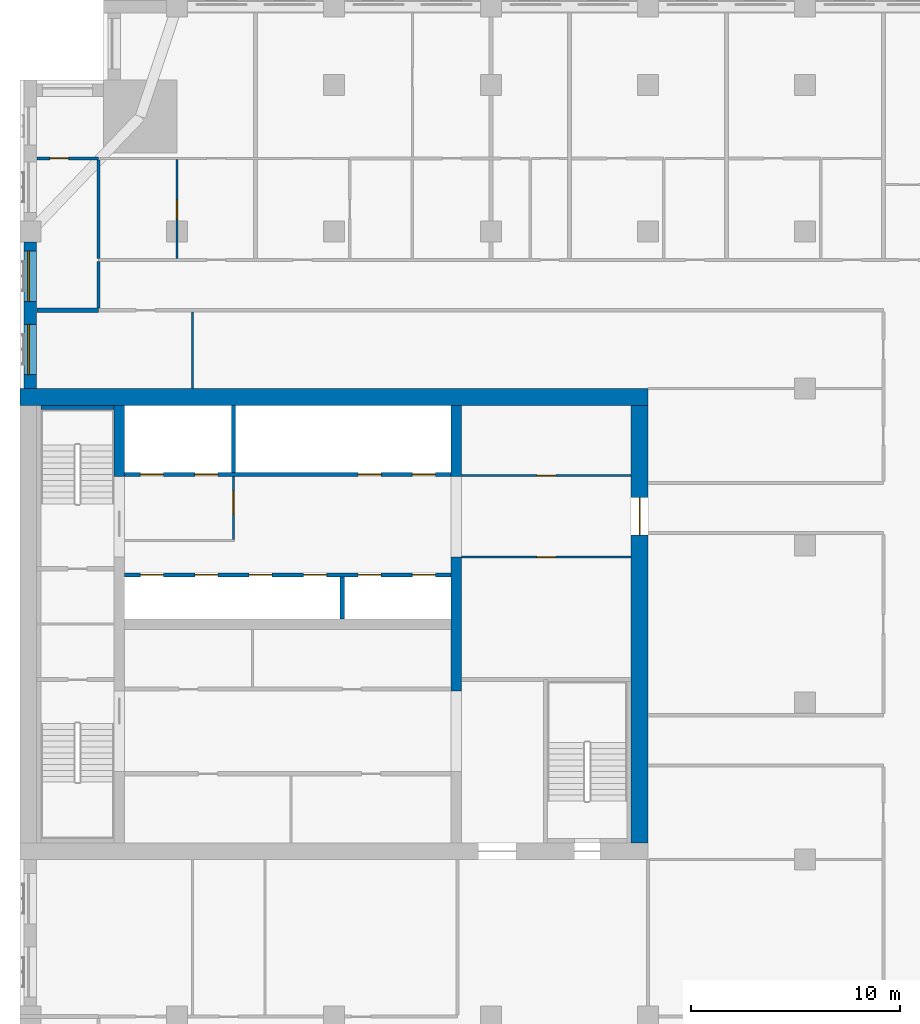
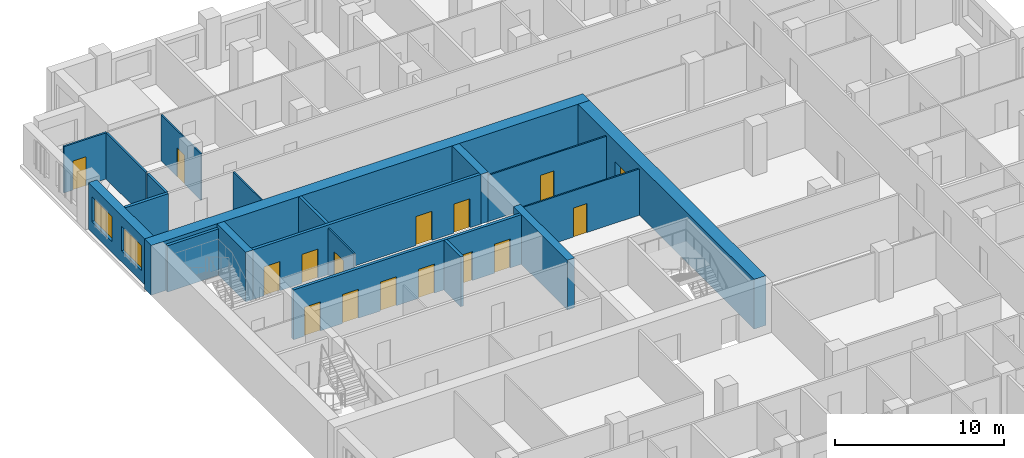
# One storey, part 8 of 14: 20 walls, 16 doors, 2 windows, 18 openings.
"""IFC4 building model written with IfcOpenShell, lengths in metres."""

from ifc_helpers import new_model, si_unit, direction, frame, frame_2d, origin, place, context, subcontext, project, spatial, rectangle, extrude, material, layer, layer_set, type_object, element, fill, save


model = new_model("IFC4")

# Units and contexts
model_context = context("Model", 3, precision=1e-05, world=origin(), true_north=direction((0.0, 1.0)))
body_context = subcontext(model_context, "Body", "Model", "MODEL_VIEW")
ifc_project = project(units=[si_unit("LENGTHUNIT", "METRE"), si_unit("AREAUNIT", "SQUARE_METRE"), si_unit("VOLUMEUNIT", "CUBIC_METRE"), si_unit("PLANEANGLEUNIT", "RADIAN"), si_unit("MASSUNIT", "GRAM", prefix="KILO")], contexts=[model_context])

# Site, building, storey
site_placement = place(None, origin())
site = spatial("IfcSite", under=ifc_project, at=site_placement, CompositionType="ELEMENT")
building_placement = place(site_placement, origin())
building = spatial("IfcBuilding", under=site, at=building_placement, Name="Tamorin Gate", CompositionType="ELEMENT")
storey_placement = place(building_placement, frame((0.0, 0.0, 148.199951171875)))
storey = spatial("IfcBuildingStorey", under=building, at=storey_placement, Name="L36", CompositionType="ELEMENT", Elevation=148.199951171875)

# Wall, openings, windows
ifc_material_1 = material(Name="Precast concrete C40/50", Category="concrete")
ifc_layer_1 = layer(ifc_material_1, 0.60009765625)
ifc_layer_set_1 = layer_set([ifc_layer_1], Name="Precast concrete C40/50")
wall_type_1 = type_object("IfcWallType", Name="Board-marked concrete facade panel 600", PredefinedType="SOLIDWALL", material=ifc_layer_set_1)
wall_1_placement = place(storey_placement, frame((30.5, 89.5, 0.0), z_axis=(0.0, 0.0, 1.0), x_axis=(0.0, -1.0, 0.0)))
wall_1 = element("IfcWall", 1, at=wall_1_placement, inside=storey, type_object=wall_type_1, Name="Facade panel", PredefinedType="SOLIDWALL", context=body_context, shape_type="SweptSolid", body=[
    extrude(rectangle(XDim=7.0, YDim=0.60009765625, at=frame_2d((3.5, 0.0))), origin(), (0.0, 0.0, 1.0), 3.35009765625),
])
opening_1_placement = place(wall_1_placement, frame((3.925048828125, 0.0, 0.800048828125)))
opening_1 = element("IfcOpeningElement", 2, at=opening_1_placement, cuts=wall_1, Name="Opening WN1", PredefinedType="OPENING", context=body_context, shape_type="SweptSolid", body=[
    extrude(rectangle(XDim=2.39990234375, YDim=1.800048828125, at=frame_2d((1.199951171875, 0.89990234375))), frame((0.0, 0.31005859375, 0.0), z_axis=(0.0, -1.0, 0.0), x_axis=(1.0, 0.0, 0.0)), (0.0, 0.0, 1.0), 0.6201171875),
])
opening_2_placement = place(wall_1_placement, frame((0.425048828125, 0.0, 0.800048828125)))
opening_2 = element("IfcOpeningElement", 3, at=opening_2_placement, cuts=wall_1, Name="Opening WN1", PredefinedType="OPENING", context=body_context, shape_type="SweptSolid", body=[
    extrude(rectangle(XDim=2.39990234375, YDim=1.800048828125, at=frame_2d((1.199951171875, 0.89990234375))), frame((0.0, 0.31005859375, 0.0), z_axis=(0.0, -1.0, 0.0), x_axis=(1.0, 0.0, 0.0)), (0.0, 0.0, 1.0), 0.6201171875),
])
ifc_material_2 = material(Name="Clear glass in aluminium frame", Category="aluminium")
window_type = type_object("IfcWindowType", Name="Deep-set window 2400x1800", PartitioningType="SINGLE_PANEL", PredefinedType="WINDOW", material=ifc_material_2)
window_1_placement = place(opening_1_placement, origin())
window_1 = element("IfcWindow", 4, at=window_1_placement, inside=storey, type_object=window_type, Name="Deep-set window", OverallHeight=1.800048828125, OverallWidth=2.39990234375, PartitioningType="SINGLE_PANEL", PredefinedType="WINDOW", context=body_context, shape_type="SweptSolid", body=[
    extrude(rectangle(XDim=2.39990234375, YDim=1.800048828125, at=frame_2d((1.199951171875, 0.89990234375))), frame((0.0, -0.070068359375, 0.0), z_axis=(0.0, -1.0, 0.0), x_axis=(1.0, 0.0, 0.0)), (0.0, 0.0, 1.0), 0.06005859375),
])
fill(opening_1, window_1)
window_2_placement = place(opening_2_placement, origin())
window_2 = element("IfcWindow", 5, at=window_2_placement, inside=storey, type_object=window_type, Name="Deep-set window", OverallHeight=1.800048828125, OverallWidth=2.39990234375, PartitioningType="SINGLE_PANEL", PredefinedType="WINDOW", context=body_context, shape_type="SweptSolid", body=[
    extrude(rectangle(XDim=2.39990234375, YDim=1.800048828125, at=frame_2d((1.199951171875, 0.89990234375))), frame((0.0, -0.070068359375, 0.0), z_axis=(0.0, -1.0, 0.0), x_axis=(1.0, 0.0, 0.0)), (0.0, 0.0, 1.0), 0.06005859375),
])
fill(opening_2, window_2)

# Walls
ifc_material_3 = material(Name="Gypsum board partition")
ifc_layer_2 = layer(ifc_material_3, 0.14990234375)
ifc_layer_set_2 = layer_set([ifc_layer_2], Name="Corridor wall 150")
wall_type_2 = type_object("IfcWallType", Name="Corridor wall 150", PredefinedType="PARTITIONING", material=ifc_layer_set_2)
wall_2_placement = place(storey_placement, frame((33.75, 86.35009765625, 0.0), z_axis=(0.0, 0.0, 1.0), x_axis=(0.0, 1.0, 0.0)))
element("IfcWall", 6, at=wall_2_placement, inside=storey, type_object=wall_type_2, Name="Corridor wall 150", PredefinedType="PARTITIONING", context=body_context, shape_type="SweptSolid", body=[
    extrude(rectangle(XDim=2.224853515625, YDim=0.14990234375, at=frame_2d((1.1123046875, 0.0))), origin(), (0.0, 0.0, 1.0), 3.35009765625),
])
ifc_layer_3 = layer(ifc_material_3, 0.199951171875)
ifc_layer_set_3 = layer_set([ifc_layer_3], Name="Demising wall 200")
wall_type_3 = type_object("IfcWallType", Name="Demising wall 200", PredefinedType="PARTITIONING", material=ifc_layer_set_3)
wall_3_placement = place(storey_placement, frame((30.81005859375, 86.25, 0.0), z_axis=(0.0, 0.0, 1.0), x_axis=(1.0, 0.0, 0.0)))
element("IfcWall", 7, at=wall_3_placement, inside=storey, type_object=wall_type_3, Name="Demising wall 200", PredefinedType="PARTITIONING", context=body_context, shape_type="SweptSolid", body=[
    extrude(rectangle(XDim=2.93994140625, YDim=0.199951171875, at=frame_2d((1.469970703125, 0.0))), origin(), (0.0, 0.0, 1.0), 3.35009765625),
])

# Wall, openings, doors
ifc_material_4 = material(Name="Concrete C32/40", Category="concrete")
ifc_layer_4 = layer(ifc_material_4, 0.199951171875)
ifc_layer_set_4 = layer_set([ifc_layer_4], Name="Lift lobby face wall 200 EI 120")
wall_type_4 = type_object("IfcWallType", Name="Lift lobby face wall 200 EI 120", PredefinedType="SOLIDWALL", material=ifc_layer_set_4)
wall_4_placement = place(storey_placement, frame((35.0, 73.60009765625, 0.0), z_axis=(0.0, 0.0, 1.0), x_axis=(1.0, 0.0, 0.0)))
wall_4 = element("IfcWall", 8, at=wall_4_placement, inside=storey, type_object=wall_type_4, Name="Lift lobby face wall", PredefinedType="SOLIDWALL", context=body_context, shape_type="SweptSolid", body=[
    extrude(rectangle(XDim=15.60009765625, YDim=0.199951171875, at=frame_2d((7.800048828125, 0.0))), origin(), (0.0, 0.0, 1.0), 3.60009765625),
])
opening_3_placement = place(wall_4_placement, frame((0.75, 0.0, 0.0)))
opening_3 = element("IfcOpeningElement", 9, at=opening_3_placement, cuts=wall_4, Name="Opening LD11", PredefinedType="OPENING", context=body_context, shape_type="SweptSolid", body=[
    extrude(rectangle(XDim=1.10009765625, YDim=2.10009765625, at=frame_2d((0.550048828125, 1.050048828125))), frame((0.0, 0.10986328125, 0.0), z_axis=(0.0, -1.0, 0.0), x_axis=(1.0, 0.0, 0.0)), (0.0, 0.0, 1.0), 0.219970703125),
])
opening_4_placement = place(wall_4_placement, frame((3.35009765625, 0.0, 0.0)))
opening_4 = element("IfcOpeningElement", 10, at=opening_4_placement, cuts=wall_4, Name="Opening LD12", PredefinedType="OPENING", context=body_context, shape_type="SweptSolid", body=[
    extrude(rectangle(XDim=1.10009765625, YDim=2.10009765625, at=frame_2d((0.550048828125, 1.050048828125))), frame((0.0, 0.10986328125, 0.0), z_axis=(0.0, -1.0, 0.0), x_axis=(1.0, 0.0, 0.0)), (0.0, 0.0, 1.0), 0.219970703125),
])
opening_5_placement = place(wall_4_placement, frame((5.949951171875, 0.0, 0.0)))
opening_5 = element("IfcOpeningElement", 11, at=opening_5_placement, cuts=wall_4, Name="Opening LD13", PredefinedType="OPENING", context=body_context, shape_type="SweptSolid", body=[
    extrude(rectangle(XDim=1.10009765625, YDim=2.10009765625, at=frame_2d((0.550048828125, 1.050048828125))), frame((0.0, 0.10986328125, 0.0), z_axis=(0.0, -1.0, 0.0), x_axis=(1.0, 0.0, 0.0)), (0.0, 0.0, 1.0), 0.219970703125),
])
opening_6_placement = place(wall_4_placement, frame((8.550048828125, 0.0, 0.0)))
opening_6 = element("IfcOpeningElement", 12, at=opening_6_placement, cuts=wall_4, Name="Opening LD14", PredefinedType="OPENING", context=body_context, shape_type="SweptSolid", body=[
    extrude(rectangle(XDim=1.10009765625, YDim=2.10009765625, at=frame_2d((0.550048828125, 1.050048828125))), frame((0.0, 0.10986328125, 0.0), z_axis=(0.0, -1.0, 0.0), x_axis=(1.0, 0.0, 0.0)), (0.0, 0.0, 1.0), 0.219970703125),
])
opening_7_placement = place(wall_4_placement, frame((11.14990234375, 0.0, 0.0)))
opening_7 = element("IfcOpeningElement", 13, at=opening_7_placement, cuts=wall_4, Name="Opening LD15", PredefinedType="OPENING", context=body_context, shape_type="SweptSolid", body=[
    extrude(rectangle(XDim=1.10009765625, YDim=2.10009765625, at=frame_2d((0.550048828125, 1.050048828125))), frame((0.0, 0.10986328125, 0.0), z_axis=(0.0, -1.0, 0.0), x_axis=(1.0, 0.0, 0.0)), (0.0, 0.0, 1.0), 0.219970703125),
])
opening_8_placement = place(wall_4_placement, frame((13.75, 0.0, 0.0)))
opening_8 = element("IfcOpeningElement", 14, at=opening_8_placement, cuts=wall_4, Name="Opening LD16", PredefinedType="OPENING", context=body_context, shape_type="SweptSolid", body=[
    extrude(rectangle(XDim=1.10009765625, YDim=2.10009765625, at=frame_2d((0.550048828125, 1.050048828125))), frame((0.0, 0.10986328125, 0.0), z_axis=(0.0, -1.0, 0.0), x_axis=(1.0, 0.0, 0.0)), (0.0, 0.0, 1.0), 0.219970703125),
])
ifc_material_5 = material(Name="Stainless steel sliding door", Category="steel")
door_type_1 = type_object("IfcDoorType", Name="Lift landing door 1100 x 2100 E 90", OperationType="DOUBLE_DOOR_SLIDING", PredefinedType="DOOR", material=ifc_material_5)
door_1_placement = place(opening_3_placement, origin())
door_1 = element("IfcDoor", 15, at=door_1_placement, inside=storey, type_object=door_type_1, Name="HR1 landing door", OperationType="DOUBLE_DOOR_SLIDING", OverallHeight=2.10009765625, OverallWidth=1.10009765625, PredefinedType="DOOR", context=body_context, shape_type="SweptSolid", body=[
    extrude(rectangle(XDim=1.10009765625, YDim=2.10009765625, at=frame_2d((0.550048828125, 1.050048828125))), frame((0.0, 0.02490234375, 0.0), z_axis=(0.0, -1.0, 0.0), x_axis=(1.0, 0.0, 0.0)), (0.0, 0.0, 1.0), 0.050048828125),
])
fill(opening_3, door_1)
door_2_placement = place(opening_4_placement, origin())
door_2 = element("IfcDoor", 16, at=door_2_placement, inside=storey, type_object=door_type_1, Name="HR2 landing door", OperationType="DOUBLE_DOOR_SLIDING", OverallHeight=2.10009765625, OverallWidth=1.10009765625, PredefinedType="DOOR", context=body_context, shape_type="SweptSolid", body=[
    extrude(rectangle(XDim=1.10009765625, YDim=2.10009765625, at=frame_2d((0.550048828125, 1.050048828125))), frame((0.0, 0.02490234375, 0.0), z_axis=(0.0, -1.0, 0.0), x_axis=(1.0, 0.0, 0.0)), (0.0, 0.0, 1.0), 0.050048828125),
])
fill(opening_4, door_2)
door_3_placement = place(opening_5_placement, origin())
door_3 = element("IfcDoor", 17, at=door_3_placement, inside=storey, type_object=door_type_1, Name="HR3 landing door", OperationType="DOUBLE_DOOR_SLIDING", OverallHeight=2.10009765625, OverallWidth=1.10009765625, PredefinedType="DOOR", context=body_context, shape_type="SweptSolid", body=[
    extrude(rectangle(XDim=1.10009765625, YDim=2.10009765625, at=frame_2d((0.550048828125, 1.050048828125))), frame((0.0, 0.02490234375, 0.0), z_axis=(0.0, -1.0, 0.0), x_axis=(1.0, 0.0, 0.0)), (0.0, 0.0, 1.0), 0.050048828125),
])
fill(opening_5, door_3)
door_4_placement = place(opening_6_placement, origin())
door_4 = element("IfcDoor", 18, at=door_4_placement, inside=storey, type_object=door_type_1, Name="HR4 landing door", OperationType="DOUBLE_DOOR_SLIDING", OverallHeight=2.10009765625, OverallWidth=1.10009765625, PredefinedType="DOOR", context=body_context, shape_type="SweptSolid", body=[
    extrude(rectangle(XDim=1.10009765625, YDim=2.10009765625, at=frame_2d((0.550048828125, 1.050048828125))), frame((0.0, 0.02490234375, 0.0), z_axis=(0.0, -1.0, 0.0), x_axis=(1.0, 0.0, 0.0)), (0.0, 0.0, 1.0), 0.050048828125),
])
fill(opening_6, door_4)
door_5_placement = place(opening_7_placement, origin())
door_5 = element("IfcDoor", 19, at=door_5_placement, inside=storey, type_object=door_type_1, Name="HR5 landing door", OperationType="DOUBLE_DOOR_SLIDING", OverallHeight=2.10009765625, OverallWidth=1.10009765625, PredefinedType="DOOR", context=body_context, shape_type="SweptSolid", body=[
    extrude(rectangle(XDim=1.10009765625, YDim=2.10009765625, at=frame_2d((0.550048828125, 1.050048828125))), frame((0.0, 0.02490234375, 0.0), z_axis=(0.0, -1.0, 0.0), x_axis=(1.0, 0.0, 0.0)), (0.0, 0.0, 1.0), 0.050048828125),
])
fill(opening_7, door_5)
door_6_placement = place(opening_8_placement, origin())
door_6 = element("IfcDoor", 20, at=door_6_placement, inside=storey, type_object=door_type_1, Name="HR6 landing door", OperationType="DOUBLE_DOOR_SLIDING", OverallHeight=2.10009765625, OverallWidth=1.10009765625, PredefinedType="DOOR", context=body_context, shape_type="SweptSolid", body=[
    extrude(rectangle(XDim=1.10009765625, YDim=2.10009765625, at=frame_2d((0.550048828125, 1.050048828125))), frame((0.0, 0.02490234375, 0.0), z_axis=(0.0, -1.0, 0.0), x_axis=(1.0, 0.0, 0.0)), (0.0, 0.0, 1.0), 0.050048828125),
])
fill(opening_8, door_6)

wall_5_placement = place(storey_placement, frame((35.0, 78.39990234375, 0.0), z_axis=(0.0, 0.0, 1.0), x_axis=(1.0, 0.0, 0.0)))
wall_5 = element("IfcWall", 21, at=wall_5_placement, inside=storey, type_object=wall_type_4, Name="Lift lobby face wall", PredefinedType="SOLIDWALL", context=body_context, shape_type="SweptSolid", body=[
    extrude(rectangle(XDim=15.60009765625, YDim=0.199951171875, at=frame_2d((7.800048828125, 0.0))), origin(), (0.0, 0.0, 1.0), 3.60009765625),
])
opening_9_placement = place(wall_5_placement, frame((0.75, 0.0, 0.0)))
opening_9 = element("IfcOpeningElement", 22, at=opening_9_placement, cuts=wall_5, Name="Opening LD17", PredefinedType="OPENING", context=body_context, shape_type="SweptSolid", body=[
    extrude(rectangle(XDim=1.10009765625, YDim=2.10009765625, at=frame_2d((0.550048828125, 1.050048828125))), frame((0.0, 0.10986328125, 0.0), z_axis=(0.0, -1.0, 0.0), x_axis=(1.0, 0.0, 0.0)), (0.0, 0.0, 1.0), 0.219970703125),
])
opening_10_placement = place(wall_5_placement, frame((3.35009765625, 0.0, 0.0)))
opening_10 = element("IfcOpeningElement", 23, at=opening_10_placement, cuts=wall_5, Name="Opening LD18", PredefinedType="OPENING", context=body_context, shape_type="SweptSolid", body=[
    extrude(rectangle(XDim=1.10009765625, YDim=2.10009765625, at=frame_2d((0.550048828125, 1.050048828125))), frame((0.0, 0.10986328125, 0.0), z_axis=(0.0, -1.0, 0.0), x_axis=(1.0, 0.0, 0.0)), (0.0, 0.0, 1.0), 0.219970703125),
])
opening_11_placement = place(wall_5_placement, frame((11.14990234375, 0.0, 0.0)))
opening_11 = element("IfcOpeningElement", 24, at=opening_11_placement, cuts=wall_5, Name="Opening LD21", PredefinedType="OPENING", context=body_context, shape_type="SweptSolid", body=[
    extrude(rectangle(XDim=1.10009765625, YDim=2.10009765625, at=frame_2d((0.550048828125, 1.050048828125))), frame((0.0, 0.10986328125, 0.0), z_axis=(0.0, -1.0, 0.0), x_axis=(1.0, 0.0, 0.0)), (0.0, 0.0, 1.0), 0.219970703125),
])
opening_12_placement = place(wall_5_placement, frame((13.75, 0.0, 0.0)))
opening_12 = element("IfcOpeningElement", 25, at=opening_12_placement, cuts=wall_5, Name="Opening LD22", PredefinedType="OPENING", context=body_context, shape_type="SweptSolid", body=[
    extrude(rectangle(XDim=1.10009765625, YDim=2.10009765625, at=frame_2d((0.550048828125, 1.050048828125))), frame((0.0, 0.10986328125, 0.0), z_axis=(0.0, -1.0, 0.0), x_axis=(1.0, 0.0, 0.0)), (0.0, 0.0, 1.0), 0.219970703125),
])
door_7_placement = place(opening_9_placement, origin())
door_7 = element("IfcDoor", 26, at=door_7_placement, inside=storey, type_object=door_type_1, Name="FF1 landing door", OperationType="DOUBLE_DOOR_SLIDING", OverallHeight=2.10009765625, OverallWidth=1.10009765625, PredefinedType="DOOR", context=body_context, shape_type="SweptSolid", body=[
    extrude(rectangle(XDim=1.10009765625, YDim=2.10009765625, at=frame_2d((0.550048828125, 1.050048828125))), frame((0.0, 0.02490234375, 0.0), z_axis=(0.0, -1.0, 0.0), x_axis=(1.0, 0.0, 0.0)), (0.0, 0.0, 1.0), 0.050048828125),
])
fill(opening_9, door_7)
door_8_placement = place(opening_10_placement, origin())
door_8 = element("IfcDoor", 27, at=door_8_placement, inside=storey, type_object=door_type_1, Name="FF2 landing door", OperationType="DOUBLE_DOOR_SLIDING", OverallHeight=2.10009765625, OverallWidth=1.10009765625, PredefinedType="DOOR", context=body_context, shape_type="SweptSolid", body=[
    extrude(rectangle(XDim=1.10009765625, YDim=2.10009765625, at=frame_2d((0.550048828125, 1.050048828125))), frame((0.0, 0.02490234375, 0.0), z_axis=(0.0, -1.0, 0.0), x_axis=(1.0, 0.0, 0.0)), (0.0, 0.0, 1.0), 0.050048828125),
])
fill(opening_10, door_8)
door_9_placement = place(opening_11_placement, origin())
door_9 = element("IfcDoor", 28, at=door_9_placement, inside=storey, type_object=door_type_1, Name="SV1 landing door", OperationType="DOUBLE_DOOR_SLIDING", OverallHeight=2.10009765625, OverallWidth=1.10009765625, PredefinedType="DOOR", context=body_context, shape_type="SweptSolid", body=[
    extrude(rectangle(XDim=1.10009765625, YDim=2.10009765625, at=frame_2d((0.550048828125, 1.050048828125))), frame((0.0, 0.02490234375, 0.0), z_axis=(0.0, -1.0, 0.0), x_axis=(1.0, 0.0, 0.0)), (0.0, 0.0, 1.0), 0.050048828125),
])
fill(opening_11, door_9)
door_10_placement = place(opening_12_placement, origin())
door_10 = element("IfcDoor", 29, at=door_10_placement, inside=storey, type_object=door_type_1, Name="SV2 landing door", OperationType="DOUBLE_DOOR_SLIDING", OverallHeight=2.10009765625, OverallWidth=1.10009765625, PredefinedType="DOOR", context=body_context, shape_type="SweptSolid", body=[
    extrude(rectangle(XDim=1.10009765625, YDim=2.10009765625, at=frame_2d((0.550048828125, 1.050048828125))), frame((0.0, 0.02490234375, 0.0), z_axis=(0.0, -1.0, 0.0), x_axis=(1.0, 0.0, 0.0)), (0.0, 0.0, 1.0), 0.050048828125),
])
fill(opening_12, door_10)

# Walls
ifc_layer_5 = layer(ifc_material_4, 0.199951171875)
ifc_layer_set_5 = layer_set([ifc_layer_5], Name="Lift shaft wall 200 EI 120")
wall_type_5 = type_object("IfcWallType", Name="Lift shaft wall 200 EI 120", PredefinedType="SOLIDWALL", material=ifc_layer_set_5)
wall_6_placement = place(storey_placement, frame((45.39990234375, 71.5, 0.0), z_axis=(0.0, 0.0, 1.0), x_axis=(0.0, 1.0, 0.0)))
element("IfcWall", 30, at=wall_6_placement, inside=storey, type_object=wall_type_5, Name="Lift shaft wall", PredefinedType="SOLIDWALL", context=body_context, shape_type="SweptSolid", body=[
    extrude(rectangle(XDim=2.0, YDim=0.199951171875, at=frame_2d((1.0, 0.0))), origin(), (0.0, 0.0, 1.0), 3.60009765625),
])
wall_7_placement = place(storey_placement, frame((40.199951171875, 78.5, 0.0), z_axis=(0.0, 0.0, 1.0), x_axis=(0.0, 1.0, 0.0)))
element("IfcWall", 31, at=wall_7_placement, inside=storey, type_object=wall_type_5, Name="Lift shaft wall", PredefinedType="SOLIDWALL", context=body_context, shape_type="SweptSolid", body=[
    extrude(rectangle(XDim=3.199951171875, YDim=0.199951171875, at=frame_2d((1.60009765625, 0.0))), origin(), (0.0, 0.0, 1.0), 3.60009765625),
])

# Wall, opening, door
ifc_material_6 = material(Name="Fire-rated gypsum board partition")
ifc_layer_6 = layer(ifc_material_6, 0.10009765625)
ifc_layer_set_6 = layer_set([ifc_layer_6], Name="Lobby wall 100 EI 60")
wall_type_6 = type_object("IfcWallType", Name="Lobby wall 100 EI 60", PredefinedType="PARTITIONING", material=ifc_layer_set_6)
wall_8_placement = place(storey_placement, frame((40.199951171875, 75.300048828125, 0.0), z_axis=(0.0, 0.0, 1.0), x_axis=(0.0, 1.0, 0.0)))
wall_8 = element("IfcWall", 32, at=wall_8_placement, inside=storey, type_object=wall_type_6, Name="Firefighting lobby wall", PredefinedType="PARTITIONING", context=body_context, shape_type="SweptSolid", body=[
    extrude(rectangle(XDim=3.0, YDim=0.10009765625, at=frame_2d((1.5, 0.0))), origin(), (0.0, 0.0, 1.0), 3.35009765625),
])
opening_13_placement = place(wall_8_placement, frame((1.199951171875, 0.0, 0.0)))
opening_13 = element("IfcOpeningElement", 33, at=opening_13_placement, cuts=wall_8, Name="Opening DF1", PredefinedType="OPENING", context=body_context, shape_type="SweptSolid", body=[
    extrude(rectangle(XDim=1.10009765625, YDim=2.10009765625, at=frame_2d((0.550048828125, 1.050048828125))), frame((0.0, 0.06005859375, 0.0), z_axis=(0.0, -1.0, 0.0), x_axis=(1.0, 0.0, 0.0)), (0.0, 0.0, 1.0), 0.1201171875),
])
ifc_material_7 = material(Name="Steel fire door", Category="steel")
door_type_2 = type_object("IfcDoorType", Name="Firefighting lobby door 1100 x 2100 EI 90", OperationType="SINGLE_SWING_LEFT", PredefinedType="DOOR", material=ifc_material_7)
door_11_placement = place(opening_13_placement, origin())
door_11 = element("IfcDoor", 34, at=door_11_placement, inside=storey, type_object=door_type_2, Name="Firefighting lobby door", OperationType="SINGLE_SWING_LEFT", OverallHeight=2.10009765625, OverallWidth=1.10009765625, PredefinedType="DOOR", context=body_context, shape_type="SweptSolid", body=[
    extrude(rectangle(XDim=1.10009765625, YDim=2.10009765625, at=frame_2d((0.550048828125, 1.050048828125))), frame((0.0, 0.02490234375, 0.0), z_axis=(0.0, -1.0, 0.0), x_axis=(1.0, 0.0, 0.0)), (0.0, 0.0, 1.0), 0.050048828125),
])
fill(opening_13, door_11)

# Walls
ifc_material_8 = material(Name="Concrete C60/75", Category="concrete")
ifc_layer_7 = layer(ifc_material_8, 0.5)
ifc_layer_set_7 = layer_set([ifc_layer_7], Name="RC core internal wall 500 C60/75")
wall_type_7 = type_object("IfcWallType", Name="RC core internal wall 500 C60/75", PredefinedType="SHEAR", material=ifc_layer_set_7)
wall_9_placement = place(storey_placement, frame((34.75, 78.300048828125, 0.0), z_axis=(0.0, 0.0, 1.0), x_axis=(0.0, 1.0, 0.0)))
element("IfcWall", 35, at=wall_9_placement, inside=storey, type_object=wall_type_7, Name="Core cross wall L36", PredefinedType="SHEAR", context=body_context, shape_type="SweptSolid", body=[
    extrude(rectangle(XDim=3.39990234375, YDim=0.5, at=frame_2d((1.699951171875, 0.0))), origin(), (0.0, 0.0, 1.0), 3.60009765625),
])
wall_10_placement = place(storey_placement, frame((50.85009765625, 68.050048828125, 0.0), z_axis=(0.0, 0.0, 1.0), x_axis=(0.0, 1.0, 0.0)))
element("IfcWall", 36, at=wall_10_placement, inside=storey, type_object=wall_type_7, Name="Core cross wall L36", PredefinedType="SHEAR", context=body_context, shape_type="SweptSolid", body=[
    extrude(rectangle(XDim=6.39990234375, YDim=0.5, at=frame_2d((3.199951171875, 0.0))), origin(), (0.0, 0.0, 1.0), 3.60009765625),
])
wall_11_placement = place(storey_placement, frame((50.85009765625, 78.300048828125, 0.0), z_axis=(0.0, 0.0, 1.0), x_axis=(0.0, 1.0, 0.0)))
element("IfcWall", 37, at=wall_11_placement, inside=storey, type_object=wall_type_7, Name="Core cross wall L36", PredefinedType="SHEAR", context=body_context, shape_type="SweptSolid", body=[
    extrude(rectangle(XDim=3.39990234375, YDim=0.5, at=frame_2d((1.699951171875, 0.0))), origin(), (0.0, 0.0, 1.0), 3.60009765625),
])
ifc_layer_8 = layer(ifc_material_8, 0.800048828125)
ifc_layer_set_8 = layer_set([ifc_layer_8], Name="RC core wall 800 C60/75")
wall_type_8 = type_object("IfcWallType", Name="RC core wall 800 C60/75", PredefinedType="SHEAR", material=ifc_layer_set_8)
wall_12_placement = place(storey_placement, frame((30.0, 82.10009765625, 0.0), z_axis=(0.0, 0.0, 1.0), x_axis=(1.0, 0.0, 0.0)))
element("IfcWall", 38, at=wall_12_placement, inside=storey, type_object=wall_type_8, Name="Core wall L36", PredefinedType="SHEAR", context=body_context, shape_type="SweptSolid", body=[
    extrude(rectangle(XDim=30.0, YDim=0.800048828125, at=frame_2d((15.0, 0.0))), origin(), (0.0, 0.0, 1.0), 3.60009765625),
])

# Wall, opening, door
wall_13_placement = place(storey_placement, frame((59.60009765625, 60.800048828125, 0.0), z_axis=(0.0, 0.0, 1.0), x_axis=(0.0, 1.0, 0.0)))
wall_13 = element("IfcWall", 39, at=wall_13_placement, inside=storey, type_object=wall_type_8, Name="Core wall L36", PredefinedType="SHEAR", context=body_context, shape_type="SweptSolid", body=[
    extrude(rectangle(XDim=20.89990234375, YDim=0.800048828125, at=frame_2d((10.449951171875, 0.0))), origin(), (0.0, 0.0, 1.0), 3.60009765625),
])
opening_14_placement = place(wall_13_placement, frame((14.699951171875, 0.0, 0.0)))
opening_14 = element("IfcOpeningElement", 40, at=opening_14_placement, cuts=wall_13, Name="Opening DE1", PredefinedType="OPENING", context=body_context, shape_type="SweptSolid", body=[
    extrude(rectangle(XDim=1.800048828125, YDim=2.10009765625, at=frame_2d((0.89990234375, 1.050048828125))), frame((0.0, 0.409912109375, 0.0), z_axis=(0.0, -1.0, 0.0), x_axis=(1.0, 0.0, 0.0)), (0.0, 0.0, 1.0), 0.820068359375),
])
door_type_3 = type_object("IfcDoorType", Name="Lobby exit double door 1800 x 2100 EI 60", OperationType="DOUBLE_DOOR_SINGLE_SWING", PredefinedType="DOOR", material=ifc_material_7)
door_12_placement = place(opening_14_placement, origin())
door_12 = element("IfcDoor", 41, at=door_12_placement, inside=storey, type_object=door_type_3, Name="Lift lobby B exit door", OperationType="DOUBLE_DOOR_SINGLE_SWING", OverallHeight=2.10009765625, OverallWidth=1.800048828125, PredefinedType="DOOR", context=body_context, shape_type="SweptSolid", body=[
    extrude(rectangle(XDim=1.800048828125, YDim=2.10009765625, at=frame_2d((0.89990234375, 1.050048828125))), frame((0.0, 0.02490234375, 0.0), z_axis=(0.0, -1.0, 0.0), x_axis=(1.0, 0.0, 0.0)), (0.0, 0.0, 1.0), 0.050048828125),
])
fill(opening_14, door_12)

ifc_layer_9 = layer(ifc_material_3, 0.10009765625)
ifc_layer_set_9 = layer_set([ifc_layer_9], Name="Room partition 100")
wall_type_9 = type_object("IfcWallType", Name="Room partition 100", PredefinedType="PARTITIONING", material=ifc_layer_set_9)
wall_14_placement = place(storey_placement, frame((37.5, 88.72509765625, 0.0), z_axis=(0.0, 0.0, 1.0), x_axis=(0.0, 1.0, 0.0)))
wall_14 = element("IfcWall", 42, at=wall_14_placement, inside=storey, type_object=wall_type_9, Name="Room partition 100", PredefinedType="PARTITIONING", context=body_context, shape_type="SweptSolid", body=[
    extrude(rectangle(XDim=4.724853515625, YDim=0.10009765625, at=frame_2d((2.3623046875, 0.0))), origin(), (0.0, 0.0, 1.0), 3.35009765625),
])
opening_15_placement = place(wall_14_placement, frame((1.89990234375, 0.0, 0.0)))
opening_15 = element("IfcOpeningElement", 43, at=opening_15_placement, cuts=wall_14, Name="Opening DS2020", PredefinedType="OPENING", context=body_context, shape_type="SweptSolid", body=[
    extrude(rectangle(XDim=0.89990234375, YDim=2.10009765625, at=frame_2d((0.449951171875, 1.050048828125))), frame((0.0, 0.06005859375, 0.0), z_axis=(0.0, -1.0, 0.0), x_axis=(1.0, 0.0, 0.0)), (0.0, 0.0, 1.0), 0.1201171875),
])
ifc_material_9 = material(Name="Timber door leaf", Category="wood")
door_type_4 = type_object("IfcDoorType", Name="Door 900 x 2100", OperationType="NOTDEFINED", PredefinedType="DOOR", material=ifc_material_9)
door_13_placement = place(opening_15_placement, origin())
door_13 = element("IfcDoor", 44, at=door_13_placement, inside=storey, type_object=door_type_4, Name="Door DS2020", OperationType="SINGLE_SWING_RIGHT", OverallHeight=2.10009765625, OverallWidth=0.89990234375, PredefinedType="DOOR", context=body_context, shape_type="SweptSolid", body=[
    extrude(rectangle(XDim=0.89990234375, YDim=2.10009765625, at=frame_2d((0.449951171875, 1.050048828125))), frame((0.0, 0.02490234375, 0.0), z_axis=(0.0, -1.0, 0.0), x_axis=(1.0, 0.0, 0.0)), (0.0, 0.0, 1.0), 0.050048828125),
])
fill(opening_15, door_13)

# Wall
wall_15_placement = place(storey_placement, frame((38.25, 82.5, 0.0), z_axis=(0.0, 0.0, 1.0), x_axis=(0.0, 1.0, 0.0)))
element("IfcWall", 45, at=wall_15_placement, inside=storey, type_object=wall_type_9, Name="Room partition 100", PredefinedType="PARTITIONING", context=body_context, shape_type="SweptSolid", body=[
    extrude(rectangle(XDim=3.675048828125, YDim=0.10009765625, at=frame_2d((1.83740234375, 0.0))), origin(), (0.0, 0.0, 1.0), 3.35009765625),
])

# Wall, opening, door
ifc_layer_10 = layer(ifc_material_3, 0.10009765625)
ifc_layer_set_10 = layer_set([ifc_layer_10], Name="Service room partition 100 EI 60")
wall_type_10 = type_object("IfcWallType", Name="Service room partition 100 EI 60", PredefinedType="PARTITIONING", material=ifc_layer_set_10)
wall_16_placement = place(storey_placement, frame((51.10009765625, 74.449951171875, 0.0), z_axis=(0.0, 0.0, 1.0), x_axis=(1.0, 0.0, 0.0)))
wall_16 = element("IfcWall", 46, at=wall_16_placement, inside=storey, type_object=wall_type_10, Name="Service room wall", PredefinedType="PARTITIONING", context=body_context, shape_type="SweptSolid", body=[
    extrude(rectangle(XDim=8.099853515625, YDim=0.10009765625, at=frame_2d((4.0498046875, 0.0))), origin(), (0.0, 0.0, 1.0), 3.35009765625),
])
opening_16_placement = place(wall_16_placement, frame((3.60009765625, 0.0, 0.0)))
opening_16 = element("IfcOpeningElement", 47, at=opening_16_placement, cuts=wall_16, Name="Opening DR1", PredefinedType="OPENING", context=body_context, shape_type="SweptSolid", body=[
    extrude(rectangle(XDim=0.89990234375, YDim=2.10009765625, at=frame_2d((0.449951171875, 1.050048828125))), frame((0.0, 0.06005859375, 0.0), z_axis=(0.0, -1.0, 0.0), x_axis=(1.0, 0.0, 0.0)), (0.0, 0.0, 1.0), 0.1201171875),
])
door_type_5 = type_object("IfcDoorType", Name="Riser access door 900 x 2100 EI 120", OperationType="SINGLE_SWING_LEFT", PredefinedType="DOOR", material=ifc_material_7)
door_14_placement = place(opening_16_placement, origin())
door_14 = element("IfcDoor", 48, at=door_14_placement, inside=storey, type_object=door_type_5, Name="Duct riser door", OperationType="SINGLE_SWING_RIGHT", OverallHeight=2.10009765625, OverallWidth=0.89990234375, PredefinedType="DOOR", context=body_context, shape_type="SweptSolid", body=[
    extrude(rectangle(XDim=0.89990234375, YDim=2.10009765625, at=frame_2d((0.449951171875, 1.050048828125))), frame((0.0, 0.02490234375, 0.0), z_axis=(0.0, -1.0, 0.0), x_axis=(1.0, 0.0, 0.0)), (0.0, 0.0, 1.0), 0.050048828125),
])
fill(opening_16, door_14)

wall_17_placement = place(storey_placement, frame((51.10009765625, 78.35009765625, 0.0), z_axis=(0.0, 0.0, 1.0), x_axis=(1.0, 0.0, 0.0)))
wall_17 = element("IfcWall", 49, at=wall_17_placement, inside=storey, type_object=wall_type_10, Name="Service room wall", PredefinedType="PARTITIONING", context=body_context, shape_type="SweptSolid", body=[
    extrude(rectangle(XDim=8.099853515625, YDim=0.10009765625, at=frame_2d((4.0498046875, 0.0))), origin(), (0.0, 0.0, 1.0), 3.35009765625),
])
opening_17_placement = place(wall_17_placement, frame((3.60009765625, 0.0, 0.0)))
opening_17 = element("IfcOpeningElement", 50, at=opening_17_placement, cuts=wall_17, Name="Opening DK1", PredefinedType="OPENING", context=body_context, shape_type="SweptSolid", body=[
    extrude(rectangle(XDim=0.89990234375, YDim=2.10009765625, at=frame_2d((0.449951171875, 1.050048828125))), frame((0.0, 0.06005859375, 0.0), z_axis=(0.0, -1.0, 0.0), x_axis=(1.0, 0.0, 0.0)), (0.0, 0.0, 1.0), 0.1201171875),
])
ifc_material_10 = material(Name="Timber fire door", Category="wood")
door_type_6 = type_object("IfcDoorType", Name="Service room door 900 x 2100 EI 60", OperationType="SINGLE_SWING_LEFT", PredefinedType="DOOR", material=ifc_material_10)
door_15_placement = place(opening_17_placement, origin())
door_15 = element("IfcDoor", 51, at=door_15_placement, inside=storey, type_object=door_type_6, Name="Door Store", OperationType="SINGLE_SWING_RIGHT", OverallHeight=2.10009765625, OverallWidth=0.89990234375, PredefinedType="DOOR", context=body_context, shape_type="SweptSolid", body=[
    extrude(rectangle(XDim=0.89990234375, YDim=2.10009765625, at=frame_2d((0.449951171875, 1.050048828125))), frame((0.0, 0.02490234375, 0.0), z_axis=(0.0, -1.0, 0.0), x_axis=(1.0, 0.0, 0.0)), (0.0, 0.0, 1.0), 0.050048828125),
])
fill(opening_17, door_15)

# Wall
ifc_layer_11 = layer(ifc_material_8, 0.199951171875)
ifc_layer_set_11 = layer_set([ifc_layer_11], Name="Stair lining wall 200 EI 120 C60/75")
wall_type_11 = type_object("IfcWallType", Name="Stair lining wall 200 EI 120 C60/75", PredefinedType="SOLIDWALL", material=ifc_layer_set_11)
wall_18_placement = place(storey_placement, frame((31.0, 81.60009765625, 0.0), z_axis=(0.0, 0.0, 1.0), x_axis=(1.0, 0.0, 0.0)))
element("IfcWall", 52, at=wall_18_placement, inside=storey, type_object=wall_type_11, Name="Stair lining wall", PredefinedType="SOLIDWALL", context=body_context, shape_type="SweptSolid", body=[
    extrude(rectangle(XDim=3.5, YDim=0.199951171875, at=frame_2d((1.75, 0.0))), origin(), (0.0, 0.0, 1.0), 3.35009765625),
])

# Wall, opening, door
ifc_layer_12 = layer(ifc_material_3, 0.125)
ifc_layer_set_12 = layer_set([ifc_layer_12], Name="Wet wall 125")
wall_type_12 = type_object("IfcWallType", Name="Wet wall 125", PredefinedType="PARTITIONING", material=ifc_layer_set_12)
wall_19_placement = place(storey_placement, frame((30.81005859375, 93.5, 0.0), z_axis=(0.0, 0.0, 1.0), x_axis=(1.0, 0.0, 0.0)))
wall_19 = element("IfcWall", 53, at=wall_19_placement, inside=storey, type_object=wall_type_12, Name="Wet wall 125", PredefinedType="PARTITIONING", context=body_context, shape_type="SweptSolid", body=[
    extrude(rectangle(XDim=2.93994140625, YDim=0.125, at=frame_2d((1.469970703125, 0.0))), origin(), (0.0, 0.0, 1.0), 3.35009765625),
])
opening_18_placement = place(wall_19_placement, frame((0.614990234375, 0.0, 0.0)))
opening_18 = element("IfcOpeningElement", 54, at=opening_18_placement, cuts=wall_19, Name="Opening DS2019", PredefinedType="OPENING", context=body_context, shape_type="SweptSolid", body=[
    extrude(rectangle(XDim=0.89990234375, YDim=2.10009765625, at=frame_2d((0.449951171875, 1.050048828125))), frame((0.0, 0.072509765625, 0.0), z_axis=(0.0, -1.0, 0.0), x_axis=(1.0, 0.0, 0.0)), (0.0, 0.0, 1.0), 0.14501953125),
])
door_16_placement = place(opening_18_placement, origin())
door_16 = element("IfcDoor", 55, at=door_16_placement, inside=storey, type_object=door_type_4, Name="Door DS2019", OperationType="SINGLE_SWING_RIGHT", OverallHeight=2.10009765625, OverallWidth=0.89990234375, PredefinedType="DOOR", context=body_context, shape_type="SweptSolid", body=[
    extrude(rectangle(XDim=0.89990234375, YDim=2.10009765625, at=frame_2d((0.449951171875, 1.050048828125))), frame((0.0, 0.02490234375, 0.0), z_axis=(0.0, -1.0, 0.0), x_axis=(1.0, 0.0, 0.0)), (0.0, 0.0, 1.0), 0.050048828125),
])
fill(opening_18, door_16)

# Wall
wall_20_placement = place(storey_placement, frame((33.75, 88.72509765625, 0.0), z_axis=(0.0, 0.0, 1.0), x_axis=(0.0, 1.0, 0.0)))
element("IfcWall", 56, at=wall_20_placement, inside=storey, type_object=wall_type_12, Name="Wet wall 125", PredefinedType="PARTITIONING", context=body_context, shape_type="SweptSolid", body=[
    extrude(rectangle(XDim=4.71240234375, YDim=0.125, at=frame_2d((2.356201171875, 0.0))), origin(), (0.0, 0.0, 1.0), 3.35009765625),
])

save(model, "model.ifc")
